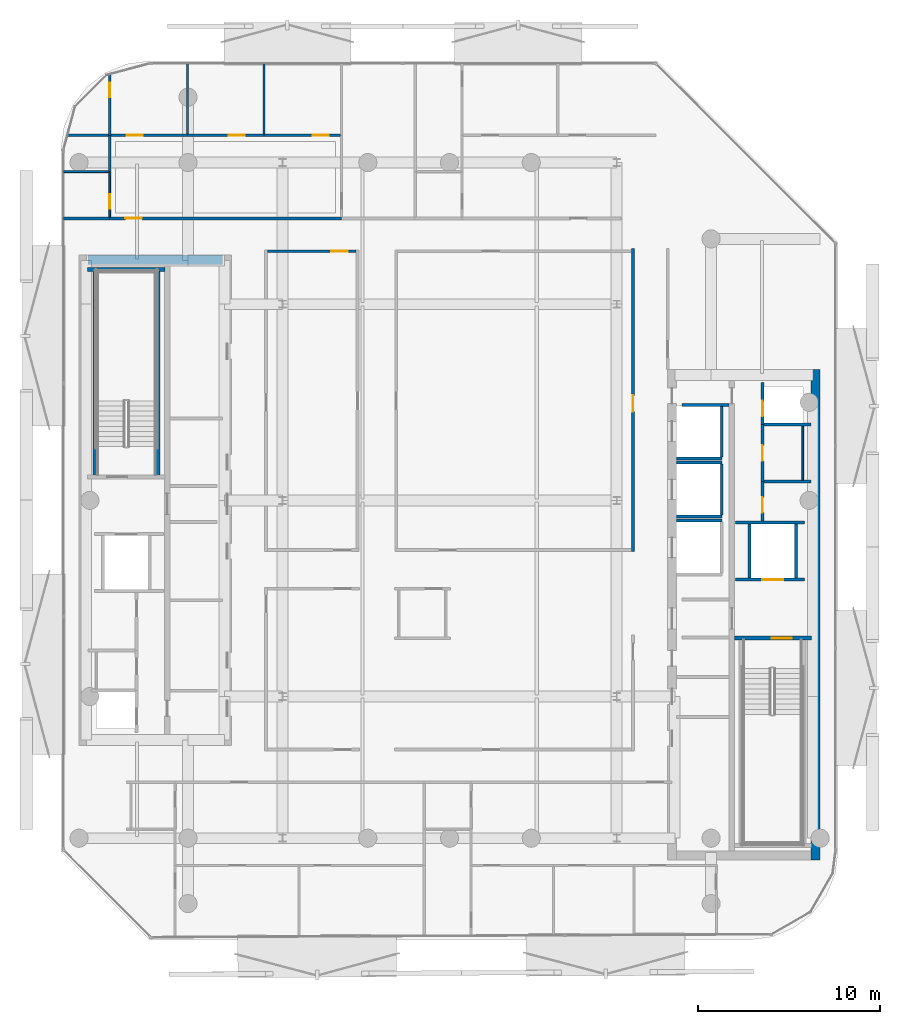
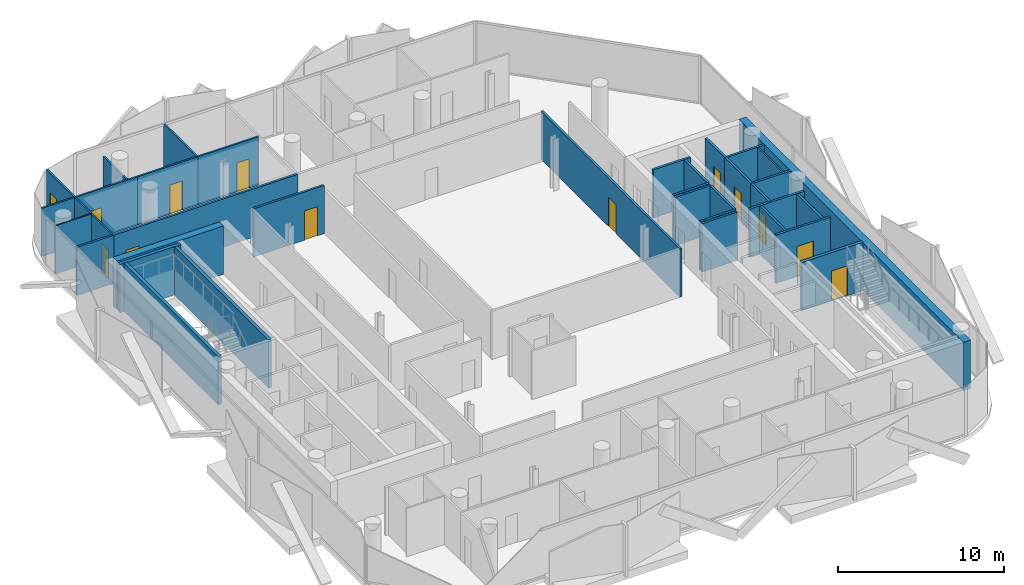
# One storey, part 7 of 16: 36 walls, 13 doors, 13 openings.
"""IFC4 building model written with IfcOpenShell, lengths in metres."""

from ifc_helpers import new_model, si_unit, direction, frame, frame_2d, origin, place, context, subcontext, project, spatial, rectangle, extrude, material, layer, layer_set, type_object, element, fill, save


model = new_model("IFC4")

# Units and contexts
model_context = context("Model", 3, precision=1e-05, world=origin(), true_north=direction((0.0, 1.0)))
body_context = subcontext(model_context, "Body", "Model", "MODEL_VIEW")
ifc_project = project(units=[si_unit("LENGTHUNIT", "METRE"), si_unit("AREAUNIT", "SQUARE_METRE"), si_unit("VOLUMEUNIT", "CUBIC_METRE"), si_unit("PLANEANGLEUNIT", "RADIAN"), si_unit("MASSUNIT", "GRAM", prefix="KILO")], contexts=[model_context])

# Site, building, storey
site_placement = place(None, origin())
site = spatial("IfcSite", under=ifc_project, at=site_placement, CompositionType="ELEMENT")
building_placement = place(site_placement, origin())
building = spatial("IfcBuilding", under=site, at=building_placement, Name="Khairoan Windgate Tower", CompositionType="ELEMENT")
storey_placement = place(building_placement, frame((0.0, 0.0, 277.60009765625)))
storey = spatial("IfcBuildingStorey", under=building, at=storey_placement, Name="L66", CompositionType="ELEMENT", Elevation=277.60009765625)

# Wall
ifc_material_1 = material(Name="Moisture-Resistant Gypsum Partition", Category="gypsum")
ifc_layer_1 = layer(ifc_material_1, 0.10009765625, Name="Moisture-Resistant Gypsum Partition")
ifc_layer_set_1 = layer_set([ifc_layer_1], Name="Moisture-Resistant Gypsum Partition")
wall_type_1 = type_object("IfcWallType", Name="Bathroom Wet-Area Partition Wall", PredefinedType="PARTITIONING", material=ifc_layer_set_1)
wall_1_placement = place(storey_placement, frame((-21.2548828125, 18.10009765625, 0.0), z_axis=(0.0, 0.0, 1.0), x_axis=(1.0, 0.0, 0.0)))
element("IfcWall", 1, at=wall_1_placement, inside=storey, type_object=wall_type_1, Name="L66 Interior Partition 039", PredefinedType="PARTITIONING", context=body_context, shape_type="SweptSolid", body=[
    extrude(rectangle(XDim=2.494873046875, YDim=0.10009765625, at=frame_2d((1.24755859375, 0.0))), origin(), (0.0, 0.0, 1.0), 3.539794921875),
])

# Wall, opening, door
wall_2_placement = place(storey_placement, frame((-18.7099609375, 15.60009765625, 0.0), z_axis=(0.0, 0.0, 1.0), x_axis=(0.0, 1.0, 0.0)))
wall_2 = element("IfcWall", 2, at=wall_2_placement, inside=storey, type_object=wall_type_1, Name="L66 Interior Partition 040", PredefinedType="PARTITIONING", context=body_context, shape_type="SweptSolid", body=[
    extrude(rectangle(XDim=2.5, YDim=0.10009765625, at=frame_2d((1.25, 0.0))), origin(), (0.0, 0.0, 1.0), 3.539794921875),
])
opening_1_placement = place(wall_2_placement, frame((0.4599609375, 0.0, 0.0)))
opening_1 = element("IfcOpeningElement", 3, at=opening_1_placement, cuts=wall_2, Name="Opening ID-BTH", PredefinedType="OPENING", context=body_context, shape_type="SweptSolid", body=[
    extrude(rectangle(XDim=0.800048828125, YDim=2.10009765625, at=frame_2d((0.39990234375, 1.050048828125))), frame((0.0, 0.06005859375, 0.0), z_axis=(0.0, -1.0, 0.0), x_axis=(1.0, 0.0, 0.0)), (0.0, 0.0, 1.0), 0.1201171875),
])
ifc_material_2 = material(Name="Teak Veneer Timber Leaf", Category="wood")
door_type_1 = type_object("IfcDoorType", Name="Internal Bathroom Door ID-BTH 800x2100", OperationType="NOTDEFINED", PredefinedType="DOOR", material=ifc_material_2)
door_1_placement = place(opening_1_placement, origin())
door_1 = element("IfcDoor", 4, at=door_1_placement, inside=storey, type_object=door_type_1, Name="L66 L66-35-L66-37 Door", OperationType="SINGLE_SWING_LEFT", OverallHeight=2.10009765625, OverallWidth=0.800048828125, PredefinedType="DOOR", context=body_context, shape_type="SweptSolid", body=[
    extrude(rectangle(XDim=0.800048828125, YDim=2.10009765625, at=frame_2d((0.39990234375, 1.050048828125))), frame((0.0, 0.02490234375, 0.0), z_axis=(0.0, -1.0, 0.0), x_axis=(1.0, 0.0, 0.0)), (0.0, 0.0, 1.0), 0.050048828125),
])
fill(opening_1, door_1)

# Walls
wall_3_placement = place(storey_placement, frame((19.449951171875, 4.090087890625, 0.0), z_axis=(0.0, 0.0, 1.0), x_axis=(0.0, -1.0, 0.0)))
element("IfcWall", 5, at=wall_3_placement, inside=storey, type_object=wall_type_1, Name="L66 Wet Room Side Wall 081", PredefinedType="PARTITIONING", context=body_context, shape_type="SweptSolid", body=[
    extrude(rectangle(XDim=2.97998046875, YDim=0.10009765625, at=frame_2d((1.489990234375, 0.0))), origin(), (0.0, 0.0, 1.0), 3.539794921875),
])
ifc_material_3 = material(Name="Concrete C40/50", Category="concrete")
ifc_layer_2 = layer(ifc_material_3, 0.159912109375, Name="Concrete C40/50")
ifc_layer_set_2 = layer_set([ifc_layer_2], Name="Concrete C40/50")
wall_type_2 = type_object("IfcWallType", Name="Core and Hoistway Enclosure Wall", PredefinedType="STANDARD", material=ifc_layer_set_2)
wall_4_placement = place(storey_placement, frame((12.5, 2.31005859375, 0.0), z_axis=(0.0, 0.0, 1.0), x_axis=(1.0, 0.0, 0.0)))
element("IfcWall", 6, at=wall_4_placement, inside=storey, type_object=wall_type_2, Name="L66 Lift PL7 Hoistway Divider S", PredefinedType="STANDARD", context=body_context, shape_type="SweptSolid", body=[
    extrude(rectangle(XDim=2.489990234375, YDim=0.159912109375, at=frame_2d((1.2451171875, 0.0))), origin(), (0.0, 0.0, 1.0), 3.539794921875),
])
wall_5_placement = place(storey_placement, frame((14.989990234375, 2.39990234375, 0.0), z_axis=(0.0, 0.0, 1.0), x_axis=(0.0, 1.0, 0.0)))
element("IfcWall", 7, at=wall_5_placement, inside=storey, type_object=wall_type_2, Name="L66 Lift PL7 Hoistway Back Wall", PredefinedType="STANDARD", context=body_context, shape_type="SweptSolid", body=[
    extrude(rectangle(XDim=2.800048828125, YDim=0.159912109375, at=frame_2d((1.39990234375, 0.0))), origin(), (0.0, 0.0, 1.0), 3.539794921875),
])
for number, where, z_axis, x_axis, name in (
    (8, (12.5, -0.889892578125, 0.0), (0.0, 0.0, 1.0), (1.0, 0.0, 0.0), "L66 Lift PL8 Hoistway Divider S"),
    (9, (12.5, 2.090087890625, 0.0), (0.0, 0.0, 1.0), (1.0, 0.0, 0.0), "L66 Lift PL8 Hoistway Divider N"),
):
    element("IfcWall", number, at=place(storey_placement, frame(where, z_axis=z_axis, x_axis=x_axis)), inside=storey, type_object=wall_type_2, Name=name, PredefinedType="STANDARD", context=body_context, shape_type="SweptSolid", body=[
        extrude(rectangle(XDim=2.489990234375, YDim=0.159912109375, at=frame_2d((1.2451171875, 0.0))), origin(), (0.0, 0.0, 1.0), 3.539794921875),
    ])
wall_6_placement = place(storey_placement, frame((14.989990234375, -0.800048828125, 0.0), z_axis=(0.0, 0.0, 1.0), x_axis=(0.0, 1.0, 0.0)))
element("IfcWall", 10, at=wall_6_placement, inside=storey, type_object=wall_type_2, Name="L66 Lift PL8 Hoistway Back Wall", PredefinedType="STANDARD", context=body_context, shape_type="SweptSolid", body=[
    extrude(rectangle(XDim=2.800048828125, YDim=0.159912109375, at=frame_2d((1.39990234375, 0.0))), origin(), (0.0, 0.0, 1.0), 3.539794921875),
])
wall_7_placement = place(storey_placement, frame((12.5, -1.110107421875, 0.0), z_axis=(0.0, 0.0, 1.0), x_axis=(1.0, 0.0, 0.0)))
element("IfcWall", 11, at=wall_7_placement, inside=storey, type_object=wall_type_2, Name="L66 Lift PL9 Hoistway Divider N", PredefinedType="STANDARD", context=body_context, shape_type="SweptSolid", body=[
    extrude(rectangle(XDim=2.489990234375, YDim=0.159912109375, at=frame_2d((1.2451171875, 0.0))), origin(), (0.0, 0.0, 1.0), 3.539794921875),
])

# Wall, opening, door
wall_8_placement = place(storey_placement, frame((15.75, -4.360107421875, 0.0), z_axis=(0.0, 0.0, 1.0), x_axis=(1.0, 0.0, 0.0)))
wall_8 = element("IfcWall", 12, at=wall_8_placement, inside=storey, type_object=wall_type_2, Name="L66 Core Shaft Wall SW-FL1-L66", PredefinedType="STANDARD", context=body_context, shape_type="SweptSolid", body=[
    extrude(rectangle(XDim=3.800048828125, YDim=0.159912109375, at=frame_2d((1.89990234375, 0.0))), origin(), (0.0, 0.0, 1.0), 3.539794921875),
])
opening_2_placement = place(wall_8_placement, frame((1.469970703125, 0.0, 0.0)))
opening_2 = element("IfcOpeningElement", 13, at=opening_2_placement, cuts=wall_8, Name="Opening LD-FL", PredefinedType="OPENING", context=body_context, shape_type="SweptSolid", body=[
    extrude(rectangle(XDim=1.14990234375, YDim=2.199951171875, at=frame_2d((0.574951171875, 1.10009765625))), frame((0.0, 0.08984375, 0.0), z_axis=(0.0, -1.0, 0.0), x_axis=(1.0, 0.0, 0.0)), (0.0, 0.0, 1.0), 0.179931640625),
])
ifc_material_4 = material(Name="Steel S355", Category="steel")
door_type_2 = type_object("IfcDoorType", Name="Firefighting Lift Sliding Landing Door LD-FL 1150x2200", OperationType="DOUBLE_DOOR_SLIDING", PredefinedType="DOOR", material=ifc_material_4)
door_2_placement = place(opening_2_placement, origin())
door_2 = element("IfcDoor", 14, at=door_2_placement, inside=storey, type_object=door_type_2, Name="L66 Firefighting Lift FL1 Landing Door", OperationType="DOUBLE_DOOR_SLIDING", OverallHeight=2.199951171875, OverallWidth=1.14990234375, PredefinedType="DOOR", context=body_context, shape_type="SweptSolid", body=[
    extrude(rectangle(XDim=1.14990234375, YDim=2.199951171875, at=frame_2d((0.574951171875, 1.10009765625))), frame((0.0, 0.02490234375, 0.0), z_axis=(0.0, -1.0, 0.0), x_axis=(1.0, 0.0, 0.0)), (0.0, 0.0, 1.0), 0.050048828125),
])
fill(opening_2, door_2)

# Walls
wall_9_placement = place(storey_placement, frame((15.75, -1.219970703125, 0.0), z_axis=(0.0, 0.0, 1.0), x_axis=(1.0, 0.0, 0.0)))
element("IfcWall", 15, at=wall_9_placement, inside=storey, type_object=wall_type_2, Name="L66 Core Shaft Wall SW-FL1T-L66", PredefinedType="STANDARD", context=body_context, shape_type="SweptSolid", body=[
    extrude(rectangle(XDim=3.800048828125, YDim=0.159912109375, at=frame_2d((1.89990234375, 0.0))), origin(), (0.0, 0.0, 1.0), 3.539794921875),
])
for number, where, z_axis, x_axis, name in (
    (16, (16.52001953125, -4.280029296875, 0.0), (0.0, 0.0, 1.0), (0.0, 1.0, 0.0), "L66 Core Shaft Wall SW-FL1W-L66"),
    (17, (19.080078125, -4.280029296875, 0.0), (0.0, 0.0, 1.0), (0.0, 1.0, 0.0), "L66 Core Shaft Wall SW-FL1E-L66"),
):
    element("IfcWall", number, at=place(storey_placement, frame(where, z_axis=z_axis, x_axis=x_axis)), inside=storey, type_object=wall_type_2, Name=name, PredefinedType="STANDARD", context=body_context, shape_type="SweptSolid", body=[
        extrude(rectangle(XDim=2.97998046875, YDim=0.159912109375, at=frame_2d((1.489990234375, 0.0))), origin(), (0.0, 0.0, 1.0), 3.539794921875),
    ])
wall_10_placement = place(storey_placement, frame((12.800048828125, 5.25, 0.0), z_axis=(0.0, 0.0, 1.0), x_axis=(1.0, 0.0, 0.0)))
element("IfcWall", 18, at=wall_10_placement, inside=storey, type_object=wall_type_2, Name="L66 Core Shaft Wall SW-ESV-L66", PredefinedType="STANDARD", context=body_context, shape_type="SweptSolid", body=[
    extrude(rectangle(XDim=2.599853515625, YDim=0.159912109375, at=frame_2d((1.2998046875, 0.0))), origin(), (0.0, 0.0, 1.0), 3.539794921875),
])
ifc_material_5 = material(Name="Gypsum Stud Partition", Category="gypsum")
ifc_layer_3 = layer(ifc_material_5, 0.1201171875, Name="Gypsum Stud Partition")
ifc_layer_set_3 = layer_set([ifc_layer_3], Name="Gypsum Stud Partition")
wall_type_3 = type_object("IfcWallType", Name="Internal Room Partition Wall", PredefinedType="PARTITIONING", material=ifc_layer_set_3)
wall_11_placement = place(storey_placement, frame((-18.7099609375, 18.10009765625, 0.0), z_axis=(0.0, 0.0, 1.0), x_axis=(0.0, 1.0, 0.0)))
element("IfcWall", 19, at=wall_11_placement, inside=storey, type_object=wall_type_3, Name="L66 Interior Partition 041", PredefinedType="PARTITIONING", context=body_context, shape_type="SweptSolid", body=[
    extrude(rectangle(XDim=2.0, YDim=0.1201171875, at=frame_2d((1.0, 0.0))), origin(), (0.0, 0.0, 1.0), 3.539794921875),
])

# Wall, opening, door
wall_12_placement = place(storey_placement, frame((-18.7099609375, 20.10009765625, 0.0), z_axis=(0.0, 0.0, 1.0), x_axis=(0.0, 1.0, 0.0)))
wall_12 = element("IfcWall", 20, at=wall_12_placement, inside=storey, type_object=wall_type_3, Name="L66 Interior Partition 042", PredefinedType="PARTITIONING", context=body_context, shape_type="SweptSolid", body=[
    extrude(rectangle(XDim=3.361328125, YDim=0.1201171875, at=frame_2d((1.6806640625, 0.0))), origin(), (0.0, 0.0, 1.0), 3.539794921875),
])
opening_3_placement = place(wall_12_placement, frame((2.1015625, 0.0, 0.0)))
opening_3 = element("IfcOpeningElement", 21, at=opening_3_placement, cuts=wall_12, Name="Opening ID-BTH", PredefinedType="OPENING", context=body_context, shape_type="SweptSolid", body=[
    extrude(rectangle(XDim=0.800048828125, YDim=2.10009765625, at=frame_2d((0.39990234375, 1.050048828125))), frame((0.0, 0.070068359375, 0.0), z_axis=(0.0, -1.0, 0.0), x_axis=(1.0, 0.0, 0.0)), (0.0, 0.0, 1.0), 0.14013671875),
])
door_3_placement = place(opening_3_placement, origin())
door_3 = element("IfcDoor", 22, at=door_3_placement, inside=storey, type_object=door_type_1, Name="L66 L66-36-L66-39 Door", OperationType="SINGLE_SWING_RIGHT", OverallHeight=2.10009765625, OverallWidth=0.800048828125, PredefinedType="DOOR", context=body_context, shape_type="SweptSolid", body=[
    extrude(rectangle(XDim=0.800048828125, YDim=2.10009765625, at=frame_2d((0.39990234375, 1.050048828125))), frame((0.0, 0.02490234375, 0.0), z_axis=(0.0, -1.0, 0.0), x_axis=(1.0, 0.0, 0.0)), (0.0, 0.0, 1.0), 0.050048828125),
])
fill(opening_3, door_3)

wall_13_placement = place(storey_placement, frame((-21.03857421875, 20.10009765625, 0.0), z_axis=(0.0, 0.0, 1.0), x_axis=(1.0, 0.0, 0.0)))
wall_13 = element("IfcWall", 23, at=wall_13_placement, inside=storey, type_object=wall_type_3, Name="L66 Interior Partition 044", PredefinedType="PARTITIONING", context=body_context, shape_type="SweptSolid", body=[
    extrude(rectangle(XDim=6.611572265625, YDim=0.1201171875, at=frame_2d((3.3056640625, 0.0))), origin(), (0.0, 0.0, 1.0), 3.539794921875),
])
opening_4_placement = place(wall_13_placement, frame((3.2783203125, 0.0, 0.0)))
opening_4 = element("IfcOpeningElement", 24, at=opening_4_placement, cuts=wall_13, Name="Opening ID-RM", PredefinedType="OPENING", context=body_context, shape_type="SweptSolid", body=[
    extrude(rectangle(XDim=0.860107421875, YDim=2.14990234375, at=frame_2d((0.43017578125, 1.074951171875))), frame((0.0, 0.070068359375, 0.0), z_axis=(0.0, -1.0, 0.0), x_axis=(1.0, 0.0, 0.0)), (0.0, 0.0, 1.0), 0.14013671875),
])
ifc_material_6 = material(Name="Teak Veneer Timber Leaf", Category="wood")
door_type_3 = type_object("IfcDoorType", Name="Internal Bedroom and Office Door ID-RM 860x2150", OperationType="NOTDEFINED", PredefinedType="DOOR", material=ifc_material_6)
door_4_placement = place(opening_4_placement, origin())
door_4 = element("IfcDoor", 25, at=door_4_placement, inside=storey, type_object=door_type_3, Name="L66 L66-37-L66-39 Door", OperationType="SINGLE_SWING_RIGHT", OverallHeight=2.14990234375, OverallWidth=0.860107421875, PredefinedType="DOOR", context=body_context, shape_type="SweptSolid", body=[
    extrude(rectangle(XDim=0.860107421875, YDim=2.14990234375, at=frame_2d((0.43017578125, 1.074951171875))), frame((0.0, 0.02490234375, 0.0), z_axis=(0.0, -1.0, 0.0), x_axis=(1.0, 0.0, 0.0)), (0.0, 0.0, 1.0), 0.050048828125),
])
fill(opening_4, door_4)

wall_14_placement = place(storey_placement, frame((-14.427001953125, 20.10009765625, 0.0), z_axis=(0.0, 0.0, 1.0), x_axis=(1.0, 0.0, 0.0)))
wall_14 = element("IfcWall", 26, at=wall_14_placement, inside=storey, type_object=wall_type_3, Name="L66 Interior Partition 045", PredefinedType="PARTITIONING", context=body_context, shape_type="SweptSolid", body=[
    extrude(rectangle(XDim=4.2041015625, YDim=0.1201171875, at=frame_2d((2.10205078125, 0.0))), origin(), (0.0, 0.0, 1.0), 3.539794921875),
])
opening_5_placement = place(wall_14_placement, frame((2.278076171875, 0.0, 0.0)))
opening_5 = element("IfcOpeningElement", 27, at=opening_5_placement, cuts=wall_14, Name="Opening ID-RM", PredefinedType="OPENING", context=body_context, shape_type="SweptSolid", body=[
    extrude(rectangle(XDim=0.860107421875, YDim=2.14990234375, at=frame_2d((0.43017578125, 1.074951171875))), frame((0.0, 0.070068359375, 0.0), z_axis=(0.0, -1.0, 0.0), x_axis=(1.0, 0.0, 0.0)), (0.0, 0.0, 1.0), 0.14013671875),
])
door_5_placement = place(opening_5_placement, origin())
door_5 = element("IfcDoor", 28, at=door_5_placement, inside=storey, type_object=door_type_3, Name="L66 L66-37-L66-40 Door", OperationType="SINGLE_SWING_LEFT", OverallHeight=2.14990234375, OverallWidth=0.860107421875, PredefinedType="DOOR", context=body_context, shape_type="SweptSolid", body=[
    extrude(rectangle(XDim=0.860107421875, YDim=2.14990234375, at=frame_2d((0.43017578125, 1.074951171875))), frame((0.0, 0.02490234375, 0.0), z_axis=(0.0, -1.0, 0.0), x_axis=(1.0, 0.0, 0.0)), (0.0, 0.0, 1.0), 0.050048828125),
])
fill(opening_5, door_5)

wall_15_placement = place(storey_placement, frame((-10.222900390625, 20.10009765625, 0.0), z_axis=(0.0, 0.0, 1.0), x_axis=(1.0, 0.0, 0.0)))
wall_15 = element("IfcWall", 29, at=wall_15_placement, inside=storey, type_object=wall_type_3, Name="L66 Interior Partition 046", PredefinedType="PARTITIONING", context=body_context, shape_type="SweptSolid", body=[
    extrude(rectangle(XDim=4.222900390625, YDim=0.1201171875, at=frame_2d((2.111328125, 0.0))), origin(), (0.0, 0.0, 1.0), 3.539794921875),
])
opening_6_placement = place(wall_15_placement, frame((2.699462890625, 0.0, 0.0)))
opening_6 = element("IfcOpeningElement", 30, at=opening_6_placement, cuts=wall_15, Name="Opening ID-RM", PredefinedType="OPENING", context=body_context, shape_type="SweptSolid", body=[
    extrude(rectangle(XDim=0.860107421875, YDim=2.14990234375, at=frame_2d((0.43017578125, 1.074951171875))), frame((0.0, 0.070068359375, 0.0), z_axis=(0.0, -1.0, 0.0), x_axis=(1.0, 0.0, 0.0)), (0.0, 0.0, 1.0), 0.14013671875),
])
door_6_placement = place(opening_6_placement, origin())
door_6 = element("IfcDoor", 31, at=door_6_placement, inside=storey, type_object=door_type_3, Name="L66 L66-37-L66-41 Door", OperationType="SINGLE_SWING_RIGHT", OverallHeight=2.14990234375, OverallWidth=0.860107421875, PredefinedType="DOOR", context=body_context, shape_type="SweptSolid", body=[
    extrude(rectangle(XDim=0.860107421875, YDim=2.14990234375, at=frame_2d((0.43017578125, 1.074951171875))), frame((0.0, 0.02490234375, 0.0), z_axis=(0.0, -1.0, 0.0), x_axis=(1.0, 0.0, 0.0)), (0.0, 0.0, 1.0), 0.050048828125),
])
fill(opening_6, door_6)

# Walls
wall_16_placement = place(storey_placement, frame((-14.427001953125, 20.159912109375, 0.0), z_axis=(0.0, 0.0, 1.0), x_axis=(0.0, 1.0, 0.0)))
element("IfcWall", 32, at=wall_16_placement, inside=storey, type_object=wall_type_3, Name="L66 Interior Partition 050", PredefinedType="PARTITIONING", context=body_context, shape_type="SweptSolid", body=[
    extrude(rectangle(XDim=3.89501953125, YDim=0.1201171875, at=frame_2d((1.947509765625, 0.0))), origin(), (0.0, 0.0, 1.0), 2.639892578125),
])
wall_17_placement = place(storey_placement, frame((-10.222900390625, 20.159912109375, 0.0), z_axis=(0.0, 0.0, 1.0), x_axis=(0.0, 1.0, 0.0)))
element("IfcWall", 33, at=wall_17_placement, inside=storey, type_object=wall_type_3, Name="L66 Interior Partition 051", PredefinedType="PARTITIONING", context=body_context, shape_type="SweptSolid", body=[
    extrude(rectangle(XDim=3.89501953125, YDim=0.1201171875, at=frame_2d((1.947509765625, 0.0))), origin(), (0.0, 0.0, 1.0), 3.539794921875),
])

# Wall, opening, door
ifc_material_7 = material(Name="Concrete C40/50", Category="concrete")
ifc_layer_4 = layer(ifc_material_7, 0.159912109375, Name="Concrete C40/50")
ifc_layer_set_4 = layer_set([ifc_layer_4], Name="Concrete C40/50")
wall_type_4 = type_object("IfcWallType", Name="Plant and Refuge Compartment Wall", PredefinedType="PARTITIONING", material=ifc_layer_set_4)
wall_18_placement = place(storey_placement, frame((17.22998046875, 4.169921875, 0.0), z_axis=(0.0, 0.0, 1.0), x_axis=(0.0, 1.0, 0.0)))
wall_18 = element("IfcWall", 34, at=wall_18_placement, inside=storey, type_object=wall_type_4, Name="L66 Interior Partition 008", PredefinedType="PARTITIONING", context=body_context, shape_type="SweptSolid", body=[
    extrude(rectangle(XDim=2.320068359375, YDim=0.159912109375, at=frame_2d((1.16015625, 0.0))), origin(), (0.0, 0.0, 1.0), 3.539794921875),
])
opening_7_placement = place(wall_18_placement, frame((0.4599609375, 0.0, 0.0)))
opening_7 = element("IfcOpeningElement", 35, at=opening_7_placement, cuts=wall_18, Name="Opening FD-SRV", PredefinedType="OPENING", context=body_context, shape_type="SweptSolid", body=[
    extrude(rectangle(XDim=0.85009765625, YDim=2.10009765625, at=frame_2d((0.425048828125, 1.050048828125))), frame((0.0, 0.08984375, 0.0), z_axis=(0.0, -1.0, 0.0), x_axis=(1.0, 0.0, 0.0)), (0.0, 0.0, 1.0), 0.179931640625),
])
ifc_material_8 = material(Name="Steel S355", Category="steel")
door_type_4 = type_object("IfcDoorType", Name="Core Service and Riser Fire Door FD-SRV 850x2100", OperationType="NOTDEFINED", PredefinedType="DOOR", material=ifc_material_8)
door_7_placement = place(opening_7_placement, origin())
door_7 = element("IfcDoor", 36, at=door_7_placement, inside=storey, type_object=door_type_4, Name="L66 L66-17-L66-18 Door", OperationType="SINGLE_SWING_LEFT", OverallHeight=2.10009765625, OverallWidth=0.85009765625, PredefinedType="DOOR", context=body_context, shape_type="SweptSolid", body=[
    extrude(rectangle(XDim=0.85009765625, YDim=2.10009765625, at=frame_2d((0.425048828125, 1.050048828125))), frame((0.0, 0.02490234375, 0.0), z_axis=(0.0, -1.0, 0.0), x_axis=(1.0, 0.0, 0.0)), (0.0, 0.0, 1.0), 0.050048828125),
])
fill(opening_7, door_7)

wall_19_placement = place(storey_placement, frame((17.22998046875, -1.139892578125, 0.0), z_axis=(0.0, 0.0, 1.0), x_axis=(0.0, 1.0, 0.0)))
wall_19 = element("IfcWall", 37, at=wall_19_placement, inside=storey, type_object=wall_type_4, Name="L66 Interior Partition 009", PredefinedType="PARTITIONING", context=body_context, shape_type="SweptSolid", body=[
    extrude(rectangle(XDim=2.169921875, YDim=0.159912109375, at=frame_2d((1.0849609375, 0.0))), origin(), (0.0, 0.0, 1.0), 3.539794921875),
])
opening_8_placement = place(wall_19_placement, frame((0.4599609375, 0.0, 0.0)))
opening_8 = element("IfcOpeningElement", 38, at=opening_8_placement, cuts=wall_19, Name="Opening FD-SRV", PredefinedType="OPENING", context=body_context, shape_type="SweptSolid", body=[
    extrude(rectangle(XDim=0.85009765625, YDim=2.10009765625, at=frame_2d((0.425048828125, 1.050048828125))), frame((0.0, 0.08984375, 0.0), z_axis=(0.0, -1.0, 0.0), x_axis=(1.0, 0.0, 0.0)), (0.0, 0.0, 1.0), 0.179931640625),
])
door_8_placement = place(opening_8_placement, origin())
door_8 = element("IfcDoor", 39, at=door_8_placement, inside=storey, type_object=door_type_4, Name="L66 L66-17-L66-19 Door", OperationType="SINGLE_SWING_RIGHT", OverallHeight=2.10009765625, OverallWidth=0.85009765625, PredefinedType="DOOR", context=body_context, shape_type="SweptSolid", body=[
    extrude(rectangle(XDim=0.85009765625, YDim=2.10009765625, at=frame_2d((0.425048828125, 1.050048828125))), frame((0.0, 0.02490234375, 0.0), z_axis=(0.0, -1.0, 0.0), x_axis=(1.0, 0.0, 0.0)), (0.0, 0.0, 1.0), 0.050048828125),
])
fill(opening_8, door_8)

wall_20_placement = place(storey_placement, frame((17.22998046875, 1.030029296875, 0.0), z_axis=(0.0, 0.0, 1.0), x_axis=(0.0, 1.0, 0.0)))
wall_20 = element("IfcWall", 40, at=wall_20_placement, inside=storey, type_object=wall_type_4, Name="L66 Interior Partition 010", PredefinedType="PARTITIONING", context=body_context, shape_type="SweptSolid", body=[
    extrude(rectangle(XDim=3.139892578125, YDim=0.159912109375, at=frame_2d((1.56982421875, 0.0))), origin(), (0.0, 0.0, 1.0), 3.539794921875),
])
opening_9_placement = place(wall_20_placement, frame((1.14501953125, 0.0, 0.0)))
opening_9 = element("IfcOpeningElement", 41, at=opening_9_placement, cuts=wall_20, Name="Opening FD-SRV", PredefinedType="OPENING", context=body_context, shape_type="SweptSolid", body=[
    extrude(rectangle(XDim=0.85009765625, YDim=2.10009765625, at=frame_2d((0.425048828125, 1.050048828125))), frame((0.0, 0.08984375, 0.0), z_axis=(0.0, -1.0, 0.0), x_axis=(1.0, 0.0, 0.0)), (0.0, 0.0, 1.0), 0.179931640625),
])
door_9_placement = place(opening_9_placement, origin())
door_9 = element("IfcDoor", 42, at=door_9_placement, inside=storey, type_object=door_type_4, Name="L66 L66-17-L66-20 Door", OperationType="SINGLE_SWING_LEFT", OverallHeight=2.10009765625, OverallWidth=0.85009765625, PredefinedType="DOOR", context=body_context, shape_type="SweptSolid", body=[
    extrude(rectangle(XDim=0.85009765625, YDim=2.10009765625, at=frame_2d((0.425048828125, 1.050048828125))), frame((0.0, 0.02490234375, 0.0), z_axis=(0.0, -1.0, 0.0), x_axis=(1.0, 0.0, 0.0)), (0.0, 0.0, 1.0), 0.050048828125),
])
fill(opening_9, door_9)

# Walls
for number, where, z_axis, x_axis, name in (
    (43, (17.31005859375, 4.169921875, 0.0), (0.0, 0.0, 1.0), (1.0, 0.0, 0.0), "L66 Interior Partition 011"),
    (44, (17.31005859375, 1.030029296875, 0.0), (0.0, 0.0, 1.0), (1.0, 0.0, 0.0), "L66 Interior Partition 012"),
):
    element("IfcWall", number, at=place(storey_placement, frame(where, z_axis=z_axis, x_axis=x_axis)), inside=storey, type_object=wall_type_4, Name=name, PredefinedType="PARTITIONING", context=body_context, shape_type="SweptSolid", body=[
        extrude(rectangle(XDim=2.58984375, YDim=0.159912109375, at=frame_2d((1.294921875, 0.0))), origin(), (0.0, 0.0, 1.0), 3.539794921875),
    ])

# Wall, opening, door
ifc_material_9 = material(Name="Acoustic Fire-Rated Gypsum Partition", Category="gypsum")
ifc_layer_5 = layer(ifc_material_9, 0.14990234375, Name="Acoustic Fire-Rated Gypsum Partition")
ifc_layer_set_5 = layer_set([ifc_layer_5], Name="Acoustic Fire-Rated Gypsum Partition")
wall_type_5 = type_object("IfcWallType", Name="Rated Corridor Partition Wall", PredefinedType="PARTITIONING", material=ifc_layer_set_5)
wall_21_placement = place(storey_placement, frame((10.10009765625, -2.81005859375, 0.0), z_axis=(0.0, 0.0, 1.0), x_axis=(0.0, 1.0, 0.0)))
wall_21 = element("IfcWall", 45, at=wall_21_placement, inside=storey, type_object=wall_type_5, Name="L66 Interior Partition 018", PredefinedType="PARTITIONING", context=body_context, shape_type="SweptSolid", body=[
    extrude(rectangle(XDim=16.68994140625, YDim=0.14990234375, at=frame_2d((8.344970703125, 0.0))), origin(), (0.0, 0.0, 1.0), 3.539794921875),
])
opening_10_placement = place(wall_21_placement, frame((7.694091796875, 0.0, 0.0)))
opening_10 = element("IfcOpeningElement", 46, at=opening_10_placement, cuts=wall_21, Name="Opening FD-ENT", PredefinedType="OPENING", context=body_context, shape_type="SweptSolid", body=[
    extrude(rectangle(XDim=0.89990234375, YDim=2.14990234375, at=frame_2d((0.449951171875, 1.074951171875))), frame((0.0, 0.0849609375, 0.0), z_axis=(0.0, -1.0, 0.0), x_axis=(1.0, 0.0, 0.0)), (0.0, 0.0, 1.0), 0.169921875),
])
ifc_material_10 = material(Name="Timber Fire-Rated Core", Category="wood")
door_type_5 = type_object("IfcDoorType", Name="Unit and Office Fire Entrance Door FD-ENT 900x2150", OperationType="NOTDEFINED", PredefinedType="DOOR", material=ifc_material_10)
door_10_placement = place(opening_10_placement, origin())
door_10 = element("IfcDoor", 47, at=door_10_placement, inside=storey, type_object=door_type_5, Name="L66 L66-30-L66-62 Door", OperationType="SINGLE_SWING_LEFT", OverallHeight=2.14990234375, OverallWidth=0.89990234375, PredefinedType="DOOR", context=body_context, shape_type="SweptSolid", body=[
    extrude(rectangle(XDim=0.89990234375, YDim=2.14990234375, at=frame_2d((0.449951171875, 1.074951171875))), frame((0.0, 0.02490234375, 0.0), z_axis=(0.0, -1.0, 0.0), x_axis=(1.0, 0.0, 0.0)), (0.0, 0.0, 1.0), 0.050048828125),
])
fill(opening_10, door_10)

# Wall
wall_22_placement = place(storey_placement, frame((-21.2548828125, 15.52490234375, 0.0), z_axis=(0.0, 0.0, 1.0), x_axis=(1.0, 0.0, 0.0)))
element("IfcWall", 48, at=wall_22_placement, inside=storey, type_object=wall_type_5, Name="L66 Interior Partition 026", PredefinedType="PARTITIONING", context=body_context, shape_type="SweptSolid", body=[
    extrude(rectangle(XDim=2.544921875, YDim=0.14990234375, at=frame_2d((1.2724609375, 0.0))), origin(), (0.0, 0.0, 1.0), 3.539794921875),
])

# Wall, opening, door
wall_23_placement = place(storey_placement, frame((-18.7099609375, 15.52490234375, 0.0), z_axis=(0.0, 0.0, 1.0), x_axis=(1.0, 0.0, 0.0)))
wall_23 = element("IfcWall", 49, at=wall_23_placement, inside=storey, type_object=wall_type_5, Name="L66 Interior Partition 027", PredefinedType="PARTITIONING", context=body_context, shape_type="SweptSolid", body=[
    extrude(rectangle(XDim=12.77001953125, YDim=0.14990234375, at=frame_2d((6.385009765625, 0.0))), origin(), (0.0, 0.0, 1.0), 3.539794921875),
])
opening_11_placement = place(wall_23_placement, frame((0.865478515625, 0.0, 0.0)))
opening_11 = element("IfcOpeningElement", 50, at=opening_11_placement, cuts=wall_23, Name="Opening FD-ENT", PredefinedType="OPENING", context=body_context, shape_type="SweptSolid", body=[
    extrude(rectangle(XDim=0.89990234375, YDim=2.14990234375, at=frame_2d((0.449951171875, 1.074951171875))), frame((0.0, 0.0849609375, 0.0), z_axis=(0.0, -1.0, 0.0), x_axis=(1.0, 0.0, 0.0)), (0.0, 0.0, 1.0), 0.169921875),
])
door_11_placement = place(opening_11_placement, origin())
door_11 = element("IfcDoor", 51, at=door_11_placement, inside=storey, type_object=door_type_5, Name="L66 L66-33-L66-37 Door", OperationType="SINGLE_SWING_LEFT", OverallHeight=2.14990234375, OverallWidth=0.89990234375, PredefinedType="DOOR", context=body_context, shape_type="SweptSolid", body=[
    extrude(rectangle(XDim=0.89990234375, YDim=2.14990234375, at=frame_2d((0.449951171875, 1.074951171875))), frame((0.0, 0.02490234375, 0.0), z_axis=(0.0, -1.0, 0.0), x_axis=(1.0, 0.0, 0.0)), (0.0, 0.0, 1.0), 0.050048828125),
])
fill(opening_11, door_11)

wall_24_placement = place(storey_placement, frame((-10.02490234375, 13.719970703125, 0.0), z_axis=(0.0, 0.0, 1.0), x_axis=(1.0, 0.0, 0.0)))
wall_24 = element("IfcWall", 52, at=wall_24_placement, inside=storey, type_object=wall_type_5, Name="L66 Interior Partition 031", PredefinedType="PARTITIONING", context=body_context, shape_type="SweptSolid", body=[
    extrude(rectangle(XDim=4.885009765625, YDim=0.14990234375, at=frame_2d((2.4423828125, 0.0))), origin(), (0.0, 0.0, 1.0), 3.539794921875),
])
opening_12_placement = place(wall_24_placement, frame((3.52490234375, 0.0, 0.0)))
opening_12 = element("IfcOpeningElement", 53, at=opening_12_placement, cuts=wall_24, Name="Opening FD-ENT", PredefinedType="OPENING", context=body_context, shape_type="SweptSolid", body=[
    extrude(rectangle(XDim=0.89990234375, YDim=2.14990234375, at=frame_2d((0.449951171875, 1.074951171875))), frame((0.0, 0.0849609375, 0.0), z_axis=(0.0, -1.0, 0.0), x_axis=(1.0, 0.0, 0.0)), (0.0, 0.0, 1.0), 0.169921875),
])
door_12_placement = place(opening_12_placement, origin())
door_12 = element("IfcDoor", 54, at=door_12_placement, inside=storey, type_object=door_type_5, Name="L66 L66-33-L66-60 Door", OperationType="SINGLE_SWING_LEFT", OverallHeight=2.14990234375, OverallWidth=0.89990234375, PredefinedType="DOOR", context=body_context, shape_type="SweptSolid", body=[
    extrude(rectangle(XDim=0.89990234375, YDim=2.14990234375, at=frame_2d((0.449951171875, 1.074951171875))), frame((0.0, 0.02490234375, 0.0), z_axis=(0.0, -1.0, 0.0), x_axis=(1.0, 0.0, 0.0)), (0.0, 0.0, 1.0), 0.050048828125),
])
fill(opening_12, door_12)

# Walls
ifc_material_11 = material(Name="Concrete C50/60", Category="concrete")
ifc_layer_6 = layer(ifc_material_11, 0.5, Name="Concrete C50/60")
ifc_layer_set_6 = layer_set([ifc_layer_6], Name="Concrete C50/60")
wall_type_6 = type_object("IfcWallType", Name="Shear Wall CW-E3 500mm", PredefinedType="SHEAR", material=ifc_layer_set_6)
wall_25_placement = place(storey_placement, frame((20.14990234375, -19.800048828125, 0.0), z_axis=(0.0, 0.0, 1.0), x_axis=(0.0, 1.0, 0.0)))
element("IfcWall", 55, at=wall_25_placement, inside=storey, type_object=wall_type_6, Name="E Core East Shear Wall L66", PredefinedType="SHEAR", context=body_context, shape_type="SweptSolid", body=[
    extrude(rectangle(XDim=27.0, YDim=0.5, at=frame_2d((13.5, 0.0))), origin(), (0.0, 0.0, 1.0), 3.539794921875),
])
ifc_material_12 = material(Name="Concrete C50/60", Category="concrete")
ifc_layer_7 = layer(ifc_material_12, 0.5, Name="Concrete C50/60")
ifc_layer_set_7 = layer_set([ifc_layer_7], Name="Concrete C50/60")
wall_type_7 = type_object("IfcWallType", Name="Shear Wall CW-W3 500mm", PredefinedType="SHEAR", material=ifc_layer_set_7)
wall_26_placement = place(storey_placement, frame((-19.89990234375, 13.25, 0.0), z_axis=(0.0, 0.0, 1.0), x_axis=(1.0, 0.0, 0.0)))
element("IfcWall", 56, at=wall_26_placement, inside=storey, type_object=wall_type_7, Name="W Core North Shear Wall L66", PredefinedType="SHEAR", context=body_context, shape_type="SweptSolid", body=[
    extrude(rectangle(XDim=7.39990234375, YDim=0.5, at=frame_2d((3.699951171875, 0.0))), origin(), (0.0, 0.0, 1.0), 3.539794921875),
])

# Wall, opening, door
ifc_material_13 = material(Name="Concrete C50/60", Category="concrete")
ifc_layer_8 = layer(ifc_material_13, 0.219970703125, Name="Concrete C50/60")
ifc_layer_set_8 = layer_set([ifc_layer_8], Name="Concrete C50/60")
wall_type_8 = type_object("IfcWallType", Name="Shear Wall SW-ST 220mm", PredefinedType="SHEAR", material=ifc_layer_set_8)
wall_27_placement = place(storey_placement, frame((19.919921875, -7.590087890625, 0.0), z_axis=(0.0, 0.0, 1.0), x_axis=(-1.0, 0.0, 0.0)))
wall_27 = element("IfcWall", 57, at=wall_27_placement, inside=storey, type_object=wall_type_8, Name="L66 Stair ST1 North Bearing Wall", PredefinedType="SHEAR", context=body_context, shape_type="SweptSolid", body=[
    extrude(rectangle(XDim=4.239990234375, YDim=0.219970703125, at=frame_2d((2.1201171875, 0.0))), origin(), (0.0, 0.0, 1.0), 3.539794921875),
])
opening_13_placement = place(wall_27_placement, frame((1.080078125, 0.0, 0.0)))
opening_13 = element("IfcOpeningElement", 58, at=opening_13_placement, cuts=wall_27, Name="Opening FD-ST", PredefinedType="OPENING", context=body_context, shape_type="SweptSolid", body=[
    extrude(rectangle(XDim=1.10009765625, YDim=2.199951171875, at=frame_2d((0.550048828125, 1.10009765625))), frame((0.0, 0.119873046875, 0.0), z_axis=(0.0, -1.0, 0.0), x_axis=(1.0, 0.0, 0.0)), (0.0, 0.0, 1.0), 0.239990234375),
])
ifc_material_14 = material(Name="Steel S355", Category="steel")
door_type_6 = type_object("IfcDoorType", Name="Smokeproof Stair Fire Door FD-ST 1100x2200", OperationType="NOTDEFINED", PredefinedType="DOOR", material=ifc_material_14)
door_13_placement = place(opening_13_placement, origin())
door_13 = element("IfcDoor", 59, at=door_13_placement, inside=storey, type_object=door_type_6, Name="L66 Stair ST1 Fire Door", OperationType="SINGLE_SWING_LEFT", OverallHeight=2.199951171875, OverallWidth=1.10009765625, PredefinedType="DOOR", context=body_context, shape_type="SweptSolid", body=[
    extrude(rectangle(XDim=1.10009765625, YDim=2.199951171875, at=frame_2d((0.550048828125, 1.10009765625))), frame((0.0, 0.02490234375, 0.0), z_axis=(0.0, -1.0, 0.0), x_axis=(1.0, 0.0, 0.0)), (0.0, 0.0, 1.0), 0.050048828125),
])
fill(opening_13, door_13)

# Walls
for number, where, z_axis, x_axis, name in (
    (60, (-16.0400390625, 1.2900390625, 0.0), (0.0, 0.0, 1.0), (0.0, 1.0, 0.0), "L66 Stair ST2 East Bearing Wall"),
    (61, (-19.530029296875, 1.2900390625, 0.0), (0.0, 0.0, 1.0), (0.0, 1.0, 0.0), "L66 Stair ST2 West Bearing Wall"),
):
    element("IfcWall", number, at=place(storey_placement, frame(where, z_axis=z_axis, x_axis=x_axis)), inside=storey, type_object=wall_type_8, Name=name, PredefinedType="SHEAR", context=body_context, shape_type="SweptSolid", body=[
        extrude(rectangle(XDim=11.419921875, YDim=0.219970703125, at=frame_2d((5.7099609375, 0.0))), origin(), (0.0, 0.0, 1.0), 3.539794921875),
    ])
wall_28_placement = place(storey_placement, frame((-19.919921875, 12.7099609375, 0.0), z_axis=(0.0, 0.0, 1.0), x_axis=(1.0, 0.0, 0.0)))
element("IfcWall", 62, at=wall_28_placement, inside=storey, type_object=wall_type_8, Name="L66 Stair ST2 North Bearing Wall", PredefinedType="SHEAR", context=body_context, shape_type="SweptSolid", body=[
    extrude(rectangle(XDim=4.239990234375, YDim=0.219970703125, at=frame_2d((2.1201171875, 0.0))), origin(), (0.0, 0.0, 1.0), 3.539794921875),
])

save(model, "model.ifc")
